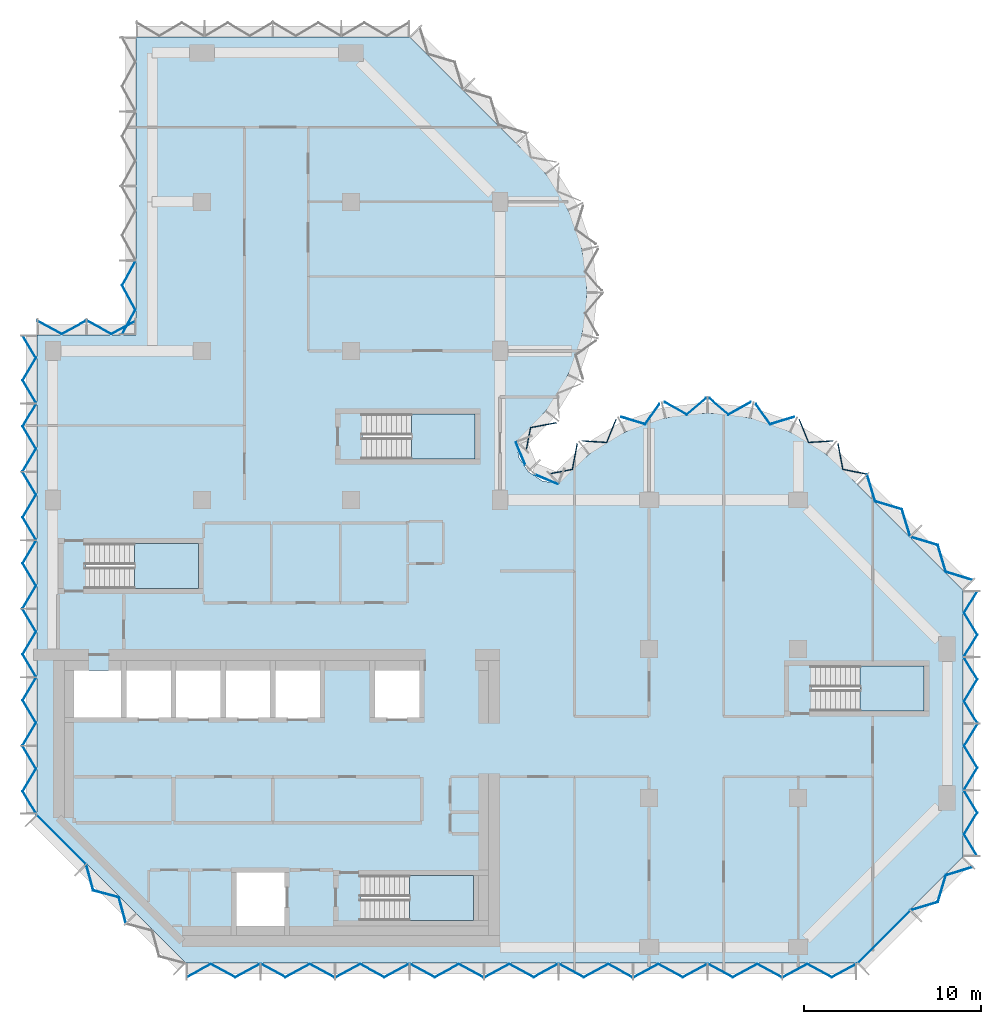
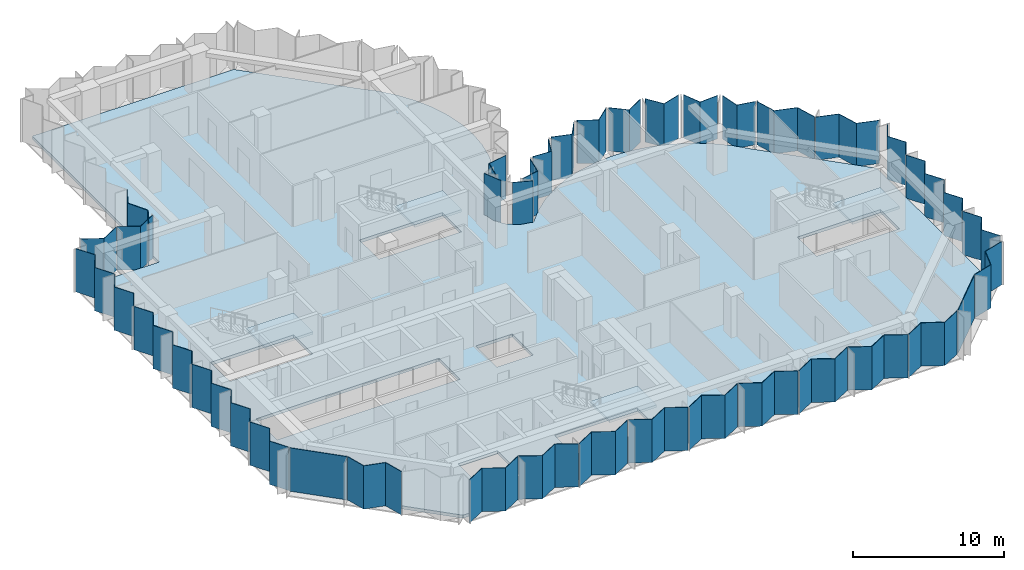
# One storey, part 3 of 10: 40 plates, 5 slabs, 15 elements without a shape of their own.
"""IFC4 building model written with IfcOpenShell, lengths in metres."""

from ifc_helpers import new_model, si_unit, direction, frame, origin, place, context, subcontext, project, spatial, polyline, outline, extrude, material, layer, layer_set, type_object, element, aggregate, save


model = new_model("IFC4")

# Units and contexts
model_context = context("Model", 3, precision=1e-05, world=origin(), true_north=direction((0.0, 1.0)))
body_context = subcontext(model_context, "Body", "Model", "MODEL_VIEW")
ifc_project = project(units=[si_unit("LENGTHUNIT", "METRE"), si_unit("AREAUNIT", "SQUARE_METRE"), si_unit("VOLUMEUNIT", "CUBIC_METRE"), si_unit("PLANEANGLEUNIT", "RADIAN"), si_unit("MASSUNIT", "GRAM", prefix="KILO")], contexts=[model_context])

# Site, building, storey
site_placement = place(None, origin())
site = spatial("IfcSite", under=ifc_project, at=site_placement, CompositionType="ELEMENT")
building_placement = place(site_placement, origin())
building = spatial("IfcBuilding", under=site, at=building_placement, Name="Brevane Broadcast Tower", CompositionType="ELEMENT")
storey_placement = place(building_placement, frame((0.0, 0.0, 199.199951171875)))
storey = spatial("IfcBuildingStorey", under=building, at=storey_placement, Name="L50", CompositionType="ELEMENT", Elevation=199.199951171875)

# Curtain wall, plates
ifc_material_1 = material(Name="Aluminium 6063-T6 bronze anodised", Category="aluminium")
curtain_wall_type = type_object("IfcCurtainWallType", Name="CW-1 curtain wall", PredefinedType="NOTDEFINED", material=ifc_material_1)
curtain_wall_1_placement = place(storey_placement, origin())
curtain_wall_1 = element("IfcCurtainWall", 1, at=curtain_wall_1_placement, inside=storey, type_object=curtain_wall_type, Name="CW-1 typical tilted unit L50 south face", PredefinedType="NOTDEFINED")
ifc_material_2 = material(Name="Laminated glass bronze-tinted", Category="glass")
ifc_layer_1 = layer(ifc_material_2, 0.0400390625)
ifc_layer_set_1 = layer_set([ifc_layer_1], Name="CW tall glass panel 40")
plate_type = type_object("IfcPlateType", Name="CW tall glass panel 40", PredefinedType="CURTAIN_PANEL", material=ifc_layer_set_1)
plate_1_placement = place(storey_placement, frame((0.0, 0.0, -0.14990234375)))
plate_1 = element("IfcPlate", 2, at=plate_1_placement, type_object=plate_type, Name="CW-1 glass panel", PredefinedType="CURTAIN_PANEL", context=body_context, shape_type="SweptSolid", body=[
    extrude(outline(polyline([(7.534912109375, -1.671630859375), (7.534912109375, -1.717041015625), (8.91162109375, -0.97265625), (10.288330078125, -1.717041015625), (11.6650390625, -0.97265625), (11.6650390625, -0.92724609375), (10.288330078125, -1.671630859375), (8.91162109375, -0.92724609375), (7.534912109375, -1.671630859375)])), origin(), (0.0, 0.0, 1.0), 3.5),
])
plate_2_placement = place(storey_placement, frame((0.0, 0.0, -0.14990234375)))
plate_2 = element("IfcPlate", 3, at=plate_2_placement, type_object=plate_type, Name="CW-1 glass panel", PredefinedType="CURTAIN_PANEL", context=body_context, shape_type="SweptSolid", body=[
    extrude(outline(polyline([(11.735107421875, -0.92724609375), (11.735107421875, -0.97265625), (13.11181640625, -1.717041015625), (14.48828125, -0.97265625), (15.864990234375, -1.717041015625), (15.864990234375, -1.671630859375), (14.48828125, -0.92724609375), (13.11181640625, -1.671630859375), (11.735107421875, -0.92724609375)])), origin(), (0.0, 0.0, 1.0), 3.5),
])
plate_3_placement = place(storey_placement, frame((0.0, 0.0, -0.14990234375)))
plate_3 = element("IfcPlate", 4, at=plate_3_placement, type_object=plate_type, Name="CW-1 glass panel", PredefinedType="CURTAIN_PANEL", context=body_context, shape_type="SweptSolid", body=[
    extrude(outline(polyline([(15.93505859375, -1.671630859375), (15.93505859375, -1.717041015625), (17.311767578125, -0.97265625), (18.688232421875, -1.717041015625), (20.06494140625, -0.97265625), (20.06494140625, -0.92724609375), (18.688232421875, -1.671630859375), (17.311767578125, -0.92724609375), (15.93505859375, -1.671630859375)])), origin(), (0.0, 0.0, 1.0), 3.5),
])
plate_4_placement = place(storey_placement, frame((0.0, 0.0, -0.14990234375)))
plate_4 = element("IfcPlate", 5, at=plate_4_placement, type_object=plate_type, Name="CW-1 glass panel", PredefinedType="CURTAIN_PANEL", context=body_context, shape_type="SweptSolid", body=[
    extrude(outline(polyline([(20.135009765625, -0.92724609375), (20.135009765625, -0.97265625), (21.51171875, -1.717041015625), (22.88818359375, -0.97265625), (24.264892578125, -1.717041015625), (24.264892578125, -1.671630859375), (22.88818359375, -0.92724609375), (21.51171875, -1.671630859375), (20.135009765625, -0.92724609375)])), origin(), (0.0, 0.0, 1.0), 3.5),
])
plate_5_placement = place(storey_placement, frame((0.0, 0.0, -0.14990234375)))
plate_5 = element("IfcPlate", 6, at=plate_5_placement, type_object=plate_type, Name="CW-1 glass panel", PredefinedType="CURTAIN_PANEL", context=body_context, shape_type="SweptSolid", body=[
    extrude(outline(polyline([(24.3349609375, -1.671630859375), (24.3349609375, -1.717041015625), (25.711669921875, -0.97265625), (27.08837890625, -1.717041015625), (28.465087890625, -0.97265625), (28.465087890625, -0.92724609375), (27.08837890625, -1.671630859375), (25.711669921875, -0.92724609375), (24.3349609375, -1.671630859375)])), origin(), (0.0, 0.0, 1.0), 3.5),
])
plate_6_placement = place(storey_placement, frame((0.0, 0.0, -0.14990234375)))
plate_6 = element("IfcPlate", 7, at=plate_6_placement, type_object=plate_type, Name="CW-1 glass panel", PredefinedType="CURTAIN_PANEL", context=body_context, shape_type="SweptSolid", body=[
    extrude(outline(polyline([(28.534912109375, -0.92724609375), (28.534912109375, -0.97265625), (29.91162109375, -1.717041015625), (31.288330078125, -0.97265625), (32.6650390625, -1.717041015625), (32.6650390625, -1.671630859375), (31.288330078125, -0.92724609375), (29.91162109375, -1.671630859375), (28.534912109375, -0.92724609375)])), origin(), (0.0, 0.0, 1.0), 3.5),
])
plate_7_placement = place(storey_placement, frame((0.0, 0.0, -0.14990234375)))
plate_7 = element("IfcPlate", 8, at=plate_7_placement, type_object=plate_type, Name="CW-1 glass panel", PredefinedType="CURTAIN_PANEL", context=body_context, shape_type="SweptSolid", body=[
    extrude(outline(polyline([(32.735107421875, -1.671630859375), (32.735107421875, -1.717041015625), (34.11181640625, -0.97265625), (35.48828125, -1.717041015625), (36.864990234375, -0.97265625), (36.864990234375, -0.92724609375), (35.48828125, -1.671630859375), (34.11181640625, -0.92724609375), (32.735107421875, -1.671630859375)])), origin(), (0.0, 0.0, 1.0), 3.5),
])
plate_8_placement = place(storey_placement, frame((0.0, 0.0, -0.14990234375)))
plate_8 = element("IfcPlate", 9, at=plate_8_placement, type_object=plate_type, Name="CW-1 glass panel", PredefinedType="CURTAIN_PANEL", context=body_context, shape_type="SweptSolid", body=[
    extrude(outline(polyline([(36.93505859375, -0.92724609375), (36.93505859375, -0.97265625), (38.311767578125, -1.717041015625), (39.688232421875, -0.97265625), (41.06494140625, -1.717041015625), (41.06494140625, -1.671630859375), (39.688232421875, -0.92724609375), (38.311767578125, -1.671630859375), (36.93505859375, -0.92724609375)])), origin(), (0.0, 0.0, 1.0), 3.5),
])
plate_9_placement = place(storey_placement, frame((0.0, 0.0, -0.14990234375)))
plate_9 = element("IfcPlate", 10, at=plate_9_placement, type_object=plate_type, Name="CW-1 glass panel", PredefinedType="CURTAIN_PANEL", context=body_context, shape_type="SweptSolid", body=[
    extrude(outline(polyline([(41.135009765625, -1.671630859375), (41.135009765625, -1.717041015625), (42.51171875, -0.97265625), (43.88818359375, -1.717041015625), (45.264892578125, -0.97265625), (45.264892578125, -0.92724609375), (43.88818359375, -1.671630859375), (42.51171875, -0.92724609375), (41.135009765625, -1.671630859375)])), origin(), (0.0, 0.0, 1.0), 3.5),
])
aggregate(curtain_wall_1, [plate_1, plate_2, plate_3, plate_4, plate_5, plate_6, plate_7, plate_8, plate_9])

curtain_wall_2_placement = place(storey_placement, origin())
curtain_wall_2 = element("IfcCurtainWall", 11, at=curtain_wall_2_placement, inside=storey, type_object=curtain_wall_type, Name="CW-1 typical tilted unit L50 south-east chamfer", PredefinedType="NOTDEFINED")
plate_10_placement = place(storey_placement, frame((0.0, 0.0, -0.14990234375)))
plate_10 = element("IfcPlate", 12, at=plate_10_placement, type_object=plate_type, Name="CW-1 glass panel", PredefinedType="CURTAIN_PANEL", context=body_context, shape_type="SweptSolid", body=[
    extrude(outline(polyline([(45.345947265625, -0.896484375), (48.29638671875, 2.053955078125), (48.32470703125, 2.02587890625), (45.374267578125, -0.9248046875), (45.345947265625, -0.896484375)])), origin(), (0.0, 0.0, 1.0), 3.5),
])
plate_11_placement = place(storey_placement, frame((0.0, 0.0, -0.14990234375)))
plate_11 = element("IfcPlate", 13, at=plate_11_placement, type_object=plate_type, Name="CW-1 glass panel", PredefinedType="CURTAIN_PANEL", context=body_context, shape_type="SweptSolid", body=[
    extrude(outline(polyline([(48.343994140625, 2.10546875), (48.376220703125, 2.073486328125), (49.885986328125, 2.530517578125), (50.343017578125, 4.040283203125), (51.85302734375, 4.49755859375), (51.82080078125, 4.529541015625), (50.31103515625, 4.072509765625), (49.85400390625, 2.5625), (48.343994140625, 2.10546875)])), origin(), (0.0, 0.0, 1.0), 3.5),
])
aggregate(curtain_wall_2, [plate_10, plate_11])

curtain_wall_3_placement = place(storey_placement, origin())
curtain_wall_3 = element("IfcCurtainWall", 14, at=curtain_wall_3_placement, inside=storey, type_object=curtain_wall_type, Name="CW-1 typical tilted unit L50 east end", PredefinedType="NOTDEFINED")
plate_12_placement = place(storey_placement, frame((0.0, 0.0, -0.14990234375)))
plate_12 = element("IfcPlate", 15, at=plate_12_placement, type_object=plate_type, Name="CW-1 glass panel", PredefinedType="CURTAIN_PANEL", context=body_context, shape_type="SweptSolid", body=[
    extrude(outline(polyline([(52.071044921875, 5.135009765625), (52.117919921875, 5.135009765625), (51.373291015625, 6.36181640625), (52.117919921875, 7.58837890625), (51.373291015625, 8.81494140625), (51.32666015625, 8.81494140625), (52.071044921875, 7.58837890625), (51.32666015625, 6.36181640625), (52.071044921875, 5.135009765625)])), origin(), (0.0, 0.0, 1.0), 3.5),
])
plate_13_placement = place(storey_placement, frame((0.0, 0.0, -0.14990234375)))
plate_13 = element("IfcPlate", 16, at=plate_13_placement, type_object=plate_type, Name="CW-1 glass panel", PredefinedType="CURTAIN_PANEL", context=body_context, shape_type="SweptSolid", body=[
    extrude(outline(polyline([(51.32666015625, 8.885009765625), (51.373291015625, 8.885009765625), (52.117919921875, 10.11181640625), (51.373291015625, 11.33837890625), (52.117919921875, 12.56494140625), (52.071044921875, 12.56494140625), (51.32666015625, 11.33837890625), (52.071044921875, 10.11181640625), (51.32666015625, 8.885009765625)])), origin(), (0.0, 0.0, 1.0), 3.5),
])
plate_14_placement = place(storey_placement, frame((0.0, 0.0, -0.14990234375)))
plate_14 = element("IfcPlate", 17, at=plate_14_placement, type_object=plate_type, Name="CW-1 glass panel", PredefinedType="CURTAIN_PANEL", context=body_context, shape_type="SweptSolid", body=[
    extrude(outline(polyline([(52.071044921875, 12.635009765625), (52.117919921875, 12.635009765625), (51.373291015625, 13.86181640625), (52.117919921875, 15.08837890625), (51.373291015625, 16.31494140625), (51.32666015625, 16.31494140625), (52.071044921875, 15.08837890625), (51.32666015625, 13.86181640625), (52.071044921875, 12.635009765625)])), origin(), (0.0, 0.0, 1.0), 3.5),
])
plate_15_placement = place(storey_placement, frame((0.0, 0.0, -0.14990234375)))
plate_15 = element("IfcPlate", 18, at=plate_15_placement, type_object=plate_type, Name="CW-1 glass panel", PredefinedType="CURTAIN_PANEL", context=body_context, shape_type="SweptSolid", body=[
    extrude(outline(polyline([(51.32666015625, 16.385009765625), (51.373291015625, 16.385009765625), (52.117919921875, 17.61181640625), (51.373291015625, 18.83837890625), (52.117919921875, 20.06494140625), (52.071044921875, 20.06494140625), (51.32666015625, 18.83837890625), (52.071044921875, 17.61181640625), (51.32666015625, 16.385009765625)])), origin(), (0.0, 0.0, 1.0), 3.5),
])
aggregate(curtain_wall_3, [plate_12, plate_13, plate_14, plate_15])

curtain_wall_4_placement = place(storey_placement, origin())
curtain_wall_4 = element("IfcCurtainWall", 19, at=curtain_wall_4_placement, inside=storey, type_object=curtain_wall_type, Name="CW-1 typical tilted unit L50 north-east chamfer", PredefinedType="NOTDEFINED")
plate_16_placement = place(storey_placement, frame((0.0, 0.0, -0.14990234375)))
plate_16 = element("IfcPlate", 20, at=plate_16_placement, type_object=plate_type, Name="CW-1 glass panel", PredefinedType="CURTAIN_PANEL", context=body_context, shape_type="SweptSolid", body=[
    extrude(outline(polyline([(51.82080078125, 20.67041015625), (51.85302734375, 20.702392578125), (50.343017578125, 21.15966796875), (49.885986328125, 22.66943359375), (48.376220703125, 23.126708984375), (48.343994140625, 23.094482421875), (49.85400390625, 22.637451171875), (50.31103515625, 21.127685546875), (51.82080078125, 20.67041015625)])), origin(), (0.0, 0.0, 1.0), 3.5),
])
plate_17_placement = place(storey_placement, frame((0.0, 0.0, -0.14990234375)))
plate_17 = element("IfcPlate", 21, at=plate_17_placement, type_object=plate_type, Name="CW-1 glass panel", PredefinedType="CURTAIN_PANEL", context=body_context, shape_type="SweptSolid", body=[
    extrude(outline(polyline([(48.294677734375, 23.14404296875), (48.32666015625, 23.176025390625), (47.869384765625, 24.68603515625), (46.359619140625, 25.14306640625), (45.902587890625, 26.653076171875), (45.870361328125, 26.620849609375), (46.32763671875, 25.111083984375), (47.83740234375, 24.65380859375), (48.294677734375, 23.14404296875)])), origin(), (0.0, 0.0, 1.0), 3.5),
])
aggregate(curtain_wall_4, [plate_16, plate_17])

curtain_wall_5_placement = place(storey_placement, origin())
curtain_wall_5 = element("IfcCurtainWall", 22, at=curtain_wall_5_placement, inside=storey, type_object=curtain_wall_type, Name="CW-1 typical tilted unit L50 east bow", PredefinedType="NOTDEFINED")
plate_18_placement = place(storey_placement, frame((0.0, 0.0, -0.14990234375)))
plate_18 = element("IfcPlate", 23, at=plate_18_placement, type_object=plate_type, Name="CW-1 glass panel", PredefinedType="CURTAIN_PANEL", context=body_context, shape_type="SweptSolid", body=[
    extrude(outline(polyline([(45.79150390625, 26.656005859375), (45.82470703125, 26.690185546875), (44.539306640625, 26.9423828125), (44.263916015625, 28.3857421875), (44.231201171875, 28.34375), (44.5048828125, 26.908203125), (45.79150390625, 26.656005859375)])), origin(), (0.0, 0.0, 1.0), 3.5),
])
plate_19_placement = place(storey_placement, frame((0.0, 0.0, -0.14990234375)))
plate_19 = element("IfcPlate", 24, at=plate_19_placement, type_object=plate_type, Name="CW-1 glass panel", PredefinedType="CURTAIN_PANEL", context=body_context, shape_type="SweptSolid", body=[
    extrude(outline(polyline([(43.950439453125, 28.5087890625), (43.9833984375, 28.551025390625), (42.601318359375, 28.462890625), (42.0703125, 29.76171875), (42.046875, 29.712890625), (42.5751953125, 28.42138671875), (43.950439453125, 28.5087890625)])), origin(), (0.0, 0.0, 1.0), 3.5),
])
plate_20_placement = place(storey_placement, frame((0.0, 0.0, -0.14990234375)))
plate_20 = element("IfcPlate", 25, at=plate_20_placement, type_object=plate_type, Name="CW-1 glass panel", PredefinedType="CURTAIN_PANEL", context=body_context, shape_type="SweptSolid", body=[
    extrude(outline(polyline([(41.75537109375, 29.851806640625), (41.778564453125, 29.900634765625), (40.435546875, 29.494384765625), (39.6328125, 30.622802734375), (39.62060546875, 30.57080078125), (40.41943359375, 29.44775390625), (41.75537109375, 29.851806640625)])), origin(), (0.0, 0.0, 1.0), 3.5),
])
plate_21_placement = place(storey_placement, frame((0.0, 0.0, -0.14990234375)))
plate_21 = element("IfcPlate", 26, at=plate_21_placement, type_object=plate_type, Name="CW-1 glass panel", PredefinedType="CURTAIN_PANEL", context=body_context, shape_type="SweptSolid", body=[
    extrude(outline(polyline([(39.31640625, 30.68798828125), (39.328369140625, 30.740478515625), (38.069580078125, 30.036376953125), (37.008056640625, 30.94921875), (37.008056640625, 30.896484375), (38.064697265625, 29.98779296875), (39.31640625, 30.68798828125)])), origin(), (0.0, 0.0, 1.0), 3.5),
])
plate_22_placement = place(storey_placement, frame((0.0, 0.0, -0.14990234375)))
plate_22 = element("IfcPlate", 27, at=plate_22_placement, type_object=plate_type, Name="CW-1 glass panel", PredefinedType="CURTAIN_PANEL", context=body_context, shape_type="SweptSolid", body=[
    extrude(outline(polyline([(36.7919921875, 30.896484375), (36.7919921875, 30.94921875), (35.730224609375, 30.036376953125), (34.4716796875, 30.740478515625), (34.483642578125, 30.68798828125), (35.735107421875, 29.98779296875), (36.7919921875, 30.896484375)])), origin(), (0.0, 0.0, 1.0), 3.5),
])
plate_23_placement = place(storey_placement, frame((0.0, 0.0, -0.14990234375)))
plate_23 = element("IfcPlate", 28, at=plate_23_placement, type_object=plate_type, Name="CW-1 glass panel", PredefinedType="CURTAIN_PANEL", context=body_context, shape_type="SweptSolid", body=[
    extrude(outline(polyline([(34.17919921875, 30.57080078125), (34.167236328125, 30.622802734375), (33.364501953125, 29.494384765625), (32.021484375, 29.900634765625), (32.044677734375, 29.851806640625), (33.380615234375, 29.44775390625), (34.17919921875, 30.57080078125)])), origin(), (0.0, 0.0, 1.0), 3.5),
])
plate_24_placement = place(storey_placement, frame((0.0, 0.0, -0.14990234375)))
plate_24 = element("IfcPlate", 29, at=plate_24_placement, type_object=plate_type, Name="CW-1 glass panel", PredefinedType="CURTAIN_PANEL", context=body_context, shape_type="SweptSolid", body=[
    extrude(outline(polyline([(31.753173828125, 29.712890625), (31.729736328125, 29.76171875), (31.198486328125, 28.462890625), (29.816650390625, 28.551025390625), (29.849609375, 28.5087890625), (31.224609375, 28.42138671875), (31.753173828125, 29.712890625)])), origin(), (0.0, 0.0, 1.0), 3.5),
])
plate_25_placement = place(storey_placement, frame((0.0, 0.0, -0.14990234375)))
plate_25 = element("IfcPlate", 30, at=plate_25_placement, type_object=plate_type, Name="CW-1 glass panel", PredefinedType="CURTAIN_PANEL", context=body_context, shape_type="SweptSolid", body=[
    extrude(outline(polyline([(29.568603515625, 28.34375), (29.535888671875, 28.3857421875), (29.2607421875, 26.9423828125), (27.975341796875, 26.690185546875), (28.008544921875, 26.656005859375), (29.294921875, 26.908203125), (29.568603515625, 28.34375)])), origin(), (0.0, 0.0, 1.0), 3.5),
])
aggregate(curtain_wall_5, [plate_18, plate_19, plate_20, plate_21, plate_22, plate_23, plate_24, plate_25])

curtain_wall_6_placement = place(storey_placement, origin())
curtain_wall_6 = element("IfcCurtainWall", 31, at=curtain_wall_6_placement, inside=storey, type_object=curtain_wall_type, Name="CW-1 typical tilted unit L50 inner corner", PredefinedType="NOTDEFINED")
plate_26_placement = place(storey_placement, frame((0.0, 0.0, -0.14990234375)))
plate_26 = element("IfcPlate", 32, at=plate_26_placement, type_object=plate_type, Name="CW-1 glass panel", PredefinedType="CURTAIN_PANEL", context=body_context, shape_type="SweptSolid", body=[
    extrude(outline(polyline([(28.45166015625, 26.07470703125), (28.466796875, 26.111572265625), (27.2021484375, 26.635498046875), (27.17138671875, 26.60498046875), (28.45166015625, 26.07470703125)])), origin(), (0.0, 0.0, 1.0), 3.5),
])
plate_27_placement = place(storey_placement, frame((0.0, 0.0, -0.14990234375)))
plate_27 = element("IfcPlate", 33, at=plate_27_placement, type_object=plate_type, Name="CW-1 glass panel", PredefinedType="CURTAIN_PANEL", context=body_context, shape_type="SweptSolid", body=[
    extrude(outline(polyline([(26.60498046875, 27.17138671875), (26.635498046875, 27.2021484375), (26.111572265625, 28.466796875), (26.07470703125, 28.45166015625), (26.60498046875, 27.17138671875)])), origin(), (0.0, 0.0, 1.0), 3.5),
])
aggregate(curtain_wall_6, [plate_26, plate_27])

# Curtain wall, plate
curtain_wall_7_placement = place(storey_placement, origin())
curtain_wall_7 = element("IfcCurtainWall", 34, at=curtain_wall_7_placement, inside=storey, type_object=curtain_wall_type, Name="CW-1 typical tilted unit L50 north bow", PredefinedType="NOTDEFINED")
plate_28_placement = place(storey_placement, frame((0.0, 0.0, -0.14990234375)))
plate_28 = element("IfcPlate", 35, at=plate_28_placement, type_object=plate_type, Name="CW-1 glass panel", PredefinedType="CURTAIN_PANEL", context=body_context, shape_type="SweptSolid", body=[
    extrude(outline(polyline([(26.656005859375, 28.008544921875), (26.690185546875, 27.975341796875), (26.9423828125, 29.2607421875), (28.3857421875, 29.535888671875), (28.34375, 29.568603515625), (26.908203125, 29.294921875), (26.656005859375, 28.008544921875)])), origin(), (0.0, 0.0, 1.0), 3.5),
])
aggregate(curtain_wall_7, [plate_28])

curtain_wall_8_placement = place(storey_placement, origin())
curtain_wall_8 = element("IfcCurtainWall", 36, at=curtain_wall_8_placement, inside=storey, type_object=curtain_wall_type, Name="CW-1 typical tilted unit L50 north wing west face, lower block", PredefinedType="NOTDEFINED")
plate_29_placement = place(storey_placement, frame((0.0, 0.0, -0.14990234375)))
plate_29 = element("IfcPlate", 37, at=plate_29_placement, type_object=plate_type, Name="CW-1 glass panel", PredefinedType="CURTAIN_PANEL", context=body_context, shape_type="SweptSolid", body=[
    extrude(outline(polyline([(4.672607421875, 38.6650390625), (4.627197265625, 38.6650390625), (3.8828125, 37.288330078125), (4.627197265625, 35.91162109375), (3.8828125, 34.534912109375), (3.92822265625, 34.534912109375), (4.672607421875, 35.91162109375), (3.92822265625, 37.288330078125), (4.672607421875, 38.6650390625)])), origin(), (0.0, 0.0, 1.0), 3.5),
])
aggregate(curtain_wall_8, [plate_29])

# Curtain wall, plates
curtain_wall_9_placement = place(storey_placement, origin())
curtain_wall_9 = element("IfcCurtainWall", 38, at=curtain_wall_9_placement, inside=storey, type_object=curtain_wall_type, Name="CW-1 typical tilted unit L50 north wing west return, lower block", PredefinedType="NOTDEFINED")
plate_30_placement = place(storey_placement, frame((0.0, 0.0, -0.14990234375)))
plate_30 = element("IfcPlate", 39, at=plate_30_placement, type_object=plate_type, Name="CW-1 glass panel", PredefinedType="CURTAIN_PANEL", context=body_context, shape_type="SweptSolid", body=[
    extrude(outline(polyline([(4.6650390625, 35.271484375), (4.6650390625, 35.317138671875), (3.300048828125, 34.57275390625), (1.93505859375, 35.317138671875), (1.93505859375, 35.271484375), (3.300048828125, 34.527099609375), (4.6650390625, 35.271484375)])), origin(), (0.0, 0.0, 1.0), 3.5),
])
plate_31_placement = place(storey_placement, frame((0.0, 0.0, -0.14990234375)))
plate_31 = element("IfcPlate", 40, at=plate_31_placement, type_object=plate_type, Name="CW-1 glass panel", PredefinedType="CURTAIN_PANEL", context=body_context, shape_type="SweptSolid", body=[
    extrude(outline(polyline([(1.864990234375, 35.271484375), (1.864990234375, 35.317138671875), (0.5, 34.57275390625), (-0.864990234375, 35.317138671875), (-0.864990234375, 35.271484375), (0.5, 34.527099609375), (1.864990234375, 35.271484375)])), origin(), (0.0, 0.0, 1.0), 3.5),
])
aggregate(curtain_wall_9, [plate_30, plate_31])

curtain_wall_10_placement = place(storey_placement, origin())
curtain_wall_10 = element("IfcCurtainWall", 41, at=curtain_wall_10_placement, inside=storey, type_object=curtain_wall_type, Name="CW-1 typical tilted unit L50 west face", PredefinedType="NOTDEFINED")
plate_32_placement = place(storey_placement, frame((0.0, 0.0, -0.14990234375)))
plate_32 = element("IfcPlate", 42, at=plate_32_placement, type_object=plate_type, Name="CW-1 glass panel", PredefinedType="CURTAIN_PANEL", context=body_context, shape_type="SweptSolid", body=[
    extrude(outline(polyline([(-1.671142578125, 34.465087890625), (-1.717529296875, 34.465087890625), (-0.97314453125, 33.20263671875), (-1.717529296875, 31.940185546875), (-0.97314453125, 30.677978515625), (-0.9267578125, 30.677978515625), (-1.671142578125, 31.940185546875), (-0.9267578125, 33.20263671875), (-1.671142578125, 34.465087890625)])), origin(), (0.0, 0.0, 1.0), 3.5),
])
plate_33_placement = place(storey_placement, frame((0.0, 0.0, -0.14990234375)))
plate_33 = element("IfcPlate", 43, at=plate_33_placement, type_object=plate_type, Name="CW-1 glass panel", PredefinedType="CURTAIN_PANEL", context=body_context, shape_type="SweptSolid", body=[
    extrude(outline(polyline([(-0.9267578125, 30.60791015625), (-0.97314453125, 30.60791015625), (-1.717529296875, 29.345458984375), (-0.97314453125, 28.0830078125), (-1.717529296875, 26.82080078125), (-1.671142578125, 26.82080078125), (-0.9267578125, 28.0830078125), (-1.671142578125, 29.345458984375), (-0.9267578125, 30.60791015625)])), origin(), (0.0, 0.0, 1.0), 3.5),
])
plate_34_placement = place(storey_placement, frame((0.0, 0.0, -0.14990234375)))
plate_34 = element("IfcPlate", 44, at=plate_34_placement, type_object=plate_type, Name="CW-1 glass panel", PredefinedType="CURTAIN_PANEL", context=body_context, shape_type="SweptSolid", body=[
    extrude(outline(polyline([(-1.671142578125, 26.750732421875), (-1.717529296875, 26.750732421875), (-0.97314453125, 25.48828125), (-1.717529296875, 24.22607421875), (-0.97314453125, 22.963623046875), (-0.9267578125, 22.963623046875), (-1.671142578125, 24.22607421875), (-0.9267578125, 25.48828125), (-1.671142578125, 26.750732421875)])), origin(), (0.0, 0.0, 1.0), 3.5),
])
plate_35_placement = place(storey_placement, frame((0.0, 0.0, -0.14990234375)))
plate_35 = element("IfcPlate", 45, at=plate_35_placement, type_object=plate_type, Name="CW-1 glass panel", PredefinedType="CURTAIN_PANEL", context=body_context, shape_type="SweptSolid", body=[
    extrude(outline(polyline([(-0.9267578125, 22.8935546875), (-0.97314453125, 22.8935546875), (-1.717529296875, 21.631103515625), (-0.97314453125, 20.368896484375), (-1.717529296875, 19.1064453125), (-1.671142578125, 19.1064453125), (-0.9267578125, 20.368896484375), (-1.671142578125, 21.631103515625), (-0.9267578125, 22.8935546875)])), origin(), (0.0, 0.0, 1.0), 3.5),
])
plate_36_placement = place(storey_placement, frame((0.0, 0.0, -0.14990234375)))
plate_36 = element("IfcPlate", 46, at=plate_36_placement, type_object=plate_type, Name="CW-1 glass panel", PredefinedType="CURTAIN_PANEL", context=body_context, shape_type="SweptSolid", body=[
    extrude(outline(polyline([(-1.671142578125, 19.036376953125), (-1.717529296875, 19.036376953125), (-0.97314453125, 17.77392578125), (-1.717529296875, 16.51171875), (-0.97314453125, 15.249267578125), (-0.9267578125, 15.249267578125), (-1.671142578125, 16.51171875), (-0.9267578125, 17.77392578125), (-1.671142578125, 19.036376953125)])), origin(), (0.0, 0.0, 1.0), 3.5),
])
plate_37_placement = place(storey_placement, frame((0.0, 0.0, -0.14990234375)))
plate_37 = element("IfcPlate", 47, at=plate_37_placement, type_object=plate_type, Name="CW-1 glass panel", PredefinedType="CURTAIN_PANEL", context=body_context, shape_type="SweptSolid", body=[
    extrude(outline(polyline([(-0.9267578125, 15.17919921875), (-0.97314453125, 15.17919921875), (-1.717529296875, 13.9169921875), (-0.97314453125, 12.654541015625), (-1.717529296875, 11.39208984375), (-1.671142578125, 11.39208984375), (-0.9267578125, 12.654541015625), (-1.671142578125, 13.9169921875), (-0.9267578125, 15.17919921875)])), origin(), (0.0, 0.0, 1.0), 3.5),
])
plate_38_placement = place(storey_placement, frame((0.0, 0.0, -0.14990234375)))
plate_38 = element("IfcPlate", 48, at=plate_38_placement, type_object=plate_type, Name="CW-1 glass panel", PredefinedType="CURTAIN_PANEL", context=body_context, shape_type="SweptSolid", body=[
    extrude(outline(polyline([(-1.671142578125, 11.322021484375), (-1.717529296875, 11.322021484375), (-0.97314453125, 10.059814453125), (-1.717529296875, 8.79736328125), (-0.97314453125, 7.534912109375), (-0.9267578125, 7.534912109375), (-1.671142578125, 8.79736328125), (-0.9267578125, 10.059814453125), (-1.671142578125, 11.322021484375)])), origin(), (0.0, 0.0, 1.0), 3.5),
])
aggregate(curtain_wall_10, [plate_32, plate_33, plate_34, plate_35, plate_36, plate_37, plate_38])

curtain_wall_11_placement = place(storey_placement, origin())
curtain_wall_11 = element("IfcCurtainWall", 49, at=curtain_wall_11_placement, inside=storey, type_object=curtain_wall_type, Name="CW-1 typical tilted unit L50 south-west chamfer", PredefinedType="NOTDEFINED")
plate_39_placement = place(storey_placement, frame((0.0, 0.0, -0.14990234375)))
plate_39 = element("IfcPlate", 50, at=plate_39_placement, type_object=plate_type, Name="CW-1 glass panel", PredefinedType="CURTAIN_PANEL", context=body_context, shape_type="SweptSolid", body=[
    extrude(outline(polyline([(-0.896484375, 7.4541015625), (1.85400390625, 4.70361328125), (1.82568359375, 4.67529296875), (-0.9248046875, 7.42578125), (-0.896484375, 7.4541015625)])), origin(), (0.0, 0.0, 1.0), 3.5),
])
plate_40_placement = place(storey_placement, frame((0.0, 0.0, -0.14990234375)))
plate_40 = element("IfcPlate", 51, at=plate_40_placement, type_object=plate_type, Name="CW-1 glass panel", PredefinedType="CURTAIN_PANEL", context=body_context, shape_type="SweptSolid", body=[
    extrude(outline(polyline([(1.90576171875, 4.65625), (1.873046875, 4.62353515625), (2.263671875, 3.180419921875), (3.706787109375, 2.789794921875), (4.09716796875, 1.3466796875), (4.1298828125, 1.37939453125), (3.739501953125, 2.822509765625), (2.296142578125, 3.212890625), (1.90576171875, 4.65625)])), origin(), (0.0, 0.0, 1.0), 3.5),
])
aggregate(curtain_wall_11, [plate_39, plate_40])

# Stair, slab
ifc_material_3 = material(Name="Concrete C50/60", Category="concrete")
stair_type = type_object("IfcStairType", Name="Exit stair 22 risers", PredefinedType="HALF_TURN_STAIR", material=ifc_material_3)
stair_1_placement = place(storey_placement, origin())
stair_1 = element("IfcStair", 52, at=stair_1_placement, inside=storey, type_object=stair_type, Name="L50 Exit stair ST-1", PredefinedType="HALF_TURN_STAIR")
ifc_layer_2 = layer(ifc_material_3, 0.199951171875)
ifc_layer_set_2 = layer_set([ifc_layer_2], Name="Exit stair landing")
slab_type_1 = type_object("IfcSlabType", Name="Exit stair landing", PredefinedType="LANDING", material=ifc_layer_set_2)
slab_1_placement = place(storey_placement, frame((0.0, 0.0, 1.60009765625)))
slab_1 = element("IfcSlab", 53, at=slab_1_placement, type_object=slab_type_1, Name="ST-1 landing 1", PredefinedType="LANDING", context=body_context, shape_type="SweptSolid", body=[
    extrude(outline(polyline([(4.60009765625, 20.199951171875), (8.199951171875, 20.199951171875), (8.199951171875, 22.75), (4.60009765625, 22.75), (4.60009765625, 20.199951171875)])), origin(), (0.0, 0.0, 1.0), 0.199951171875),
])
aggregate(stair_1, [slab_1])

stair_2_placement = place(storey_placement, origin())
stair_2 = element("IfcStair", 54, at=stair_2_placement, inside=storey, type_object=stair_type, Name="L50 Exit stair ST-2", PredefinedType="HALF_TURN_STAIR")
slab_2_placement = place(storey_placement, frame((0.0, 0.0, 1.60009765625)))
slab_2 = element("IfcSlab", 55, at=slab_2_placement, type_object=slab_type_1, Name="ST-2 landing 1", PredefinedType="LANDING", context=body_context, shape_type="SweptSolid", body=[
    extrude(outline(polyline([(20.10009765625, 1.5), (23.699951171875, 1.5), (23.699951171875, 4.050048828125), (20.10009765625, 4.050048828125), (20.10009765625, 1.5)])), origin(), (0.0, 0.0, 1.0), 0.199951171875),
])
aggregate(stair_2, [slab_2])

stair_3_placement = place(storey_placement, origin())
stair_3 = element("IfcStair", 56, at=stair_3_placement, inside=storey, type_object=stair_type, Name="L50 Exit stair ST-3", PredefinedType="HALF_TURN_STAIR")
slab_3_placement = place(storey_placement, frame((0.0, 0.0, 1.60009765625)))
slab_3 = element("IfcSlab", 57, at=slab_3_placement, type_object=slab_type_1, Name="ST-3 landing 1", PredefinedType="LANDING", context=body_context, shape_type="SweptSolid", body=[
    extrude(outline(polyline([(20.199951171875, 27.5), (23.800048828125, 27.5), (23.800048828125, 30.050048828125), (20.199951171875, 30.050048828125), (20.199951171875, 27.5)])), origin(), (0.0, 0.0, 1.0), 0.199951171875),
])
aggregate(stair_3, [slab_3])

stair_4_placement = place(storey_placement, origin())
stair_4 = element("IfcStair", 58, at=stair_4_placement, inside=storey, type_object=stair_type, Name="L50 Exit stair ST-4", PredefinedType="HALF_TURN_STAIR")
slab_4_placement = place(storey_placement, frame((0.0, 0.0, 1.60009765625)))
slab_4 = element("IfcSlab", 59, at=slab_4_placement, type_object=slab_type_1, Name="ST-4 landing 1", PredefinedType="LANDING", context=body_context, shape_type="SweptSolid", body=[
    extrude(outline(polyline([(45.5, 13.300048828125), (49.10009765625, 13.300048828125), (49.10009765625, 15.85009765625), (45.5, 15.85009765625), (45.5, 13.300048828125)])), origin(), (0.0, 0.0, 1.0), 0.199951171875),
])
aggregate(stair_4, [slab_4])

# Slab
ifc_material_4 = material(Name="Concrete C40/50", Category="concrete")
ifc_layer_3 = layer(ifc_material_4, 0.25)
ifc_layer_set_3 = layer_set([ifc_layer_3], Name="RC FLOOR SLAB 250 C40/50")
slab_type_2 = type_object("IfcSlabType", Name="RC FLOOR SLAB 250 C40/50", PredefinedType="FLOOR", material=ifc_layer_set_3)
slab_5_placement = place(storey_placement, frame((0.0, 0.0, -0.25)))
element("IfcSlab", 60, at=slab_5_placement, inside=storey, type_object=slab_type_2, Name="SL250 L50", PredefinedType="FLOOR", context=body_context, shape_type="SweptSolid", body=[
    extrude(outline(polyline([(-0.89990234375, 7.5), (-0.89990234375, 34.5), (4.699951171875, 34.5), (4.699951171875, 51.300048828125), (20.10009765625, 51.300048828125), (26.10009765625, 45.300048828125), (27.10888671875, 44.36865234375), (27.99169921875, 43.317138671875), (28.734130859375, 42.162353515625), (29.324462890625, 40.922607421875), (29.7529296875, 39.618408203125), (30.012939453125, 38.270263671875), (30.10009765625, 36.89990234375), (30.012939453125, 35.52978515625), (29.7529296875, 34.181640625), (29.324462890625, 32.877197265625), (28.734130859375, 31.6376953125), (27.99169921875, 30.48291015625), (27.10888671875, 29.431396484375), (26.10009765625, 28.5), (26.28271484375, 27.58154296875), (26.802978515625, 26.802978515625), (27.58154296875, 26.28271484375), (28.5, 26.10009765625), (29.431396484375, 27.10888671875), (30.48291015625, 27.99169921875), (31.6376953125, 28.734130859375), (32.877197265625, 29.324462890625), (34.181640625, 29.7529296875), (35.52978515625, 30.012939453125), (36.89990234375, 30.10009765625), (38.270263671875, 30.012939453125), (39.618408203125, 29.7529296875), (40.922607421875, 29.324462890625), (42.162353515625, 28.734130859375), (43.317138671875, 27.99169921875), (44.36865234375, 27.10888671875), (45.300048828125, 26.10009765625), (51.300048828125, 20.10009765625), (51.300048828125, 5.10009765625), (45.300048828125, -0.89990234375), (7.5, -0.89990234375), (-0.89990234375, 7.5)]), holes=[polyline([(13.199951171875, 4.39990234375), (10.199951171875, 4.39990234375), (10.199951171875, 1.199951171875), (13.199951171875, 1.199951171875), (13.199951171875, 4.39990234375)]), polyline([(4.0, 15.60009765625), (1.199951171875, 15.60009765625), (1.199951171875, 12.800048828125), (4.0, 12.800048828125), (6.800048828125, 12.800048828125), (9.60009765625, 12.800048828125), (12.39990234375, 12.800048828125), (15.199951171875, 12.800048828125), (15.199951171875, 15.60009765625), (12.39990234375, 15.60009765625), (9.60009765625, 15.60009765625), (6.800048828125, 15.60009765625), (4.0, 15.60009765625)]), polyline([(1.860107421875, 22.75), (1.860107421875, 20.199951171875), (8.199951171875, 20.199951171875), (8.199951171875, 22.75), (1.860107421875, 22.75)]), polyline([(23.699951171875, 4.050048828125), (17.360107421875, 4.050048828125), (17.360107421875, 1.5), (23.699951171875, 1.5), (23.699951171875, 4.050048828125)]), polyline([(20.800048828125, 15.60009765625), (18.0, 15.60009765625), (18.0, 12.800048828125), (20.800048828125, 12.800048828125), (20.800048828125, 15.60009765625)]), polyline([(49.10009765625, 15.85009765625), (42.760009765625, 15.85009765625), (42.760009765625, 13.300048828125), (49.10009765625, 13.300048828125), (49.10009765625, 15.85009765625)]), polyline([(23.800048828125, 30.050048828125), (17.4599609375, 30.050048828125), (17.4599609375, 27.5), (23.800048828125, 27.5), (23.800048828125, 30.050048828125)])]), origin(), (0.0, 0.0, 1.0), 0.25),
])

save(model, "model.ifc")
